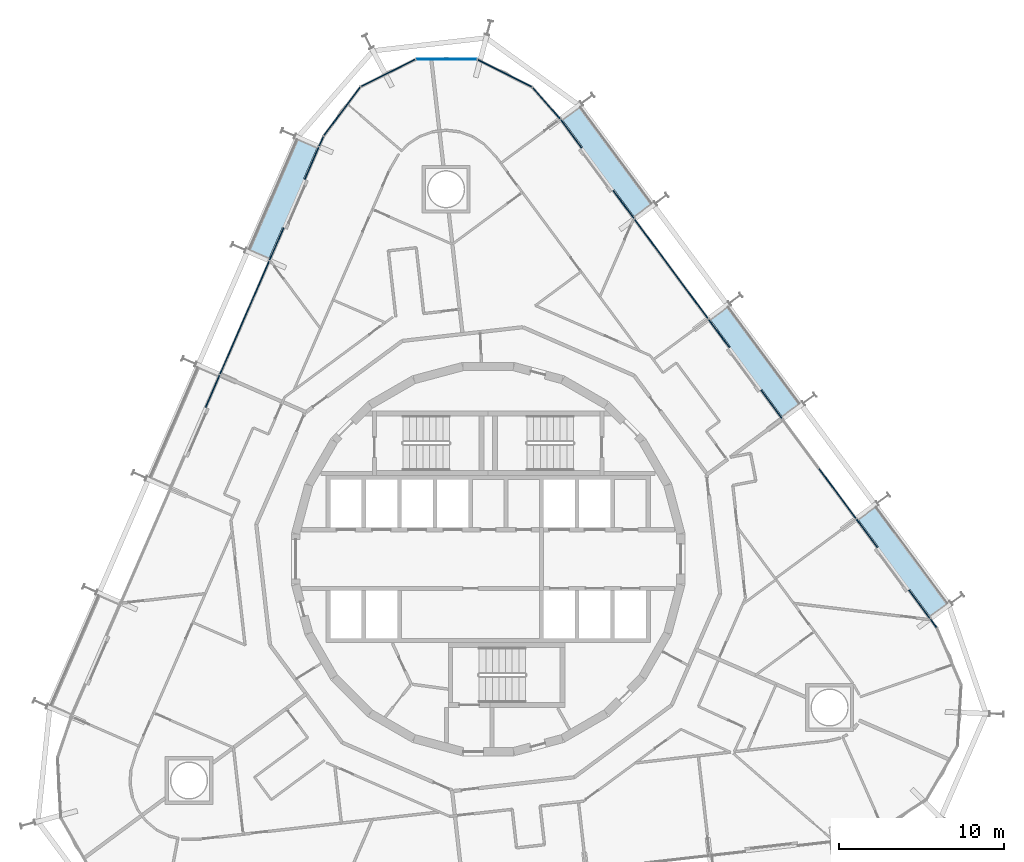
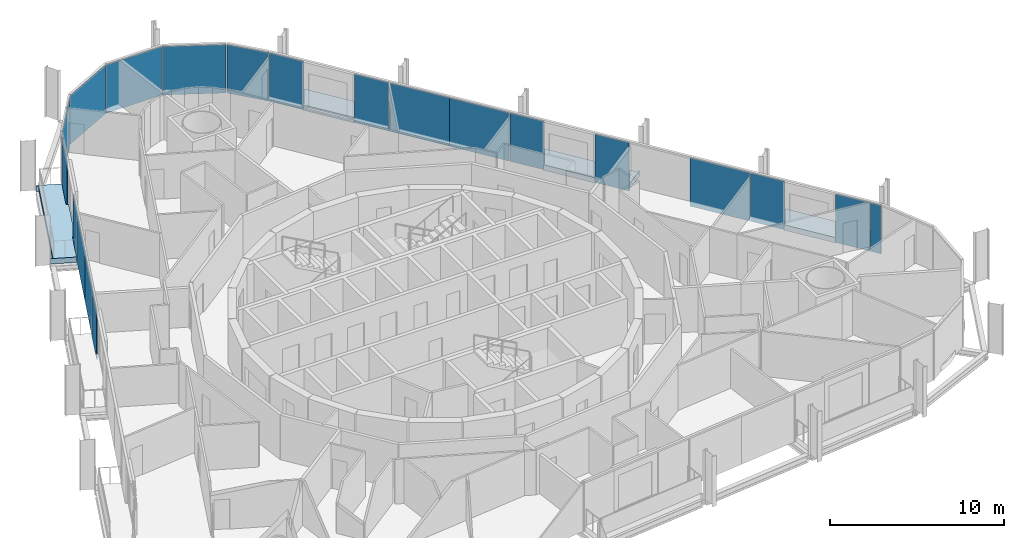
# One storey, part 15 of 24: 21 plates, 4 slabs, 4 elements without a shape of their own.
"""IFC4 building model written with IfcOpenShell, lengths in metres."""

from ifc_helpers import new_model, si_unit, direction, frame, origin, origin_2d, place, context, subcontext, project, spatial, polyline, rectangle, outline, extrude, material, layer, layer_set, type_object, element, aggregate, save


model = new_model("IFC4")

# Units and contexts
model_context = context("Model", 3, precision=1e-05, world=origin(), true_north=direction((0.0, 1.0)))
body_context = subcontext(model_context, "Body", "Model", "MODEL_VIEW")
ifc_project = project(units=[si_unit("LENGTHUNIT", "METRE"), si_unit("AREAUNIT", "SQUARE_METRE"), si_unit("VOLUMEUNIT", "CUBIC_METRE"), si_unit("PLANEANGLEUNIT", "RADIAN"), si_unit("MASSUNIT", "GRAM", prefix="KILO")], contexts=[model_context])

# Site, building, storey
site_placement = place(None, origin())
site = spatial("IfcSite", under=ifc_project, at=site_placement, CompositionType="ELEMENT")
building_placement = place(site_placement, origin())
building = spatial("IfcBuilding", under=site, at=building_placement, Name="Spindle Arch Residences", CompositionType="ELEMENT")
storey_placement = place(building_placement, frame((0.0, 0.0, 87.199951171875)))
storey = spatial("IfcBuildingStorey", under=building, at=storey_placement, Name="L20", CompositionType="ELEMENT", Elevation=87.199951171875)

# Slabs
ifc_material_1 = material(Name="Concrete C40/50", Category="concrete")
ifc_layer_1 = layer(ifc_material_1, 0.3798828125)
ifc_layer_set_1 = layer_set([ifc_layer_1], Name="Balcony slab 380")
slab_type = type_object("IfcSlabType", Name="Balcony slab 380", PredefinedType="FLOOR", material=ifc_layer_set_1)
slab_1_placement = place(storey_placement, frame((0.0, 0.0, -0.3798828125)))
element("IfcSlab", 1, at=slab_1_placement, inside=storey, type_object=slab_type, Name="Balcony L20 bay 6", PredefinedType="FLOOR", context=body_context, shape_type="SweptSolid", body=[
    extrude(outline(polyline([(27.94287109375, -2.613525390625), (27.8984375, -2.55322265625), (27.77783203125, -2.642578125), (23.48388671875, 3.160400390625), (23.6044921875, 3.24951171875), (23.559814453125, 3.309814453125), (22.362060546875, 2.423583984375), (23.601806640625, 0.748046875), (23.473388671875, 0.65283203125), (25.376708984375, -1.91943359375), (25.50537109375, -1.82421875), (26.7451171875, -3.499755859375), (27.94287109375, -2.613525390625)])), origin(), (0.0, 0.0, 1.0), 0.3798828125),
])
slab_2_placement = place(storey_placement, frame((0.0, 0.0, -0.3798828125)))
element("IfcSlab", 2, at=slab_2_placement, inside=storey, type_object=slab_type, Name="Balcony L20 bay 8", PredefinedType="FLOOR", context=body_context, shape_type="SweptSolid", body=[
    extrude(outline(polyline([(18.998291015625, 9.474609375), (18.95361328125, 9.534912109375), (18.8330078125, 9.445556640625), (14.5390625, 15.24853515625), (14.65966796875, 15.337646484375), (14.614990234375, 15.39794921875), (13.417236328125, 14.51171875), (14.6572265625, 12.836181640625), (14.528564453125, 12.740966796875), (16.431884765625, 10.168701171875), (16.560546875, 10.263916015625), (17.800537109375, 8.588134765625), (18.998291015625, 9.474609375)])), origin(), (0.0, 0.0, 1.0), 0.3798828125),
])
slab_3_placement = place(storey_placement, frame((0.0, 0.0, -0.3798828125)))
element("IfcSlab", 3, at=slab_3_placement, inside=storey, type_object=slab_type, Name="Balcony L20 bay 10", PredefinedType="FLOOR", context=body_context, shape_type="SweptSolid", body=[
    extrude(outline(polyline([(10.053466796875, 21.562744140625), (10.0087890625, 21.623046875), (9.88818359375, 21.53369140625), (5.594482421875, 27.336669921875), (5.71484375, 27.42578125), (5.67041015625, 27.486083984375), (4.47265625, 26.599853515625), (5.71240234375, 24.92431640625), (5.583740234375, 24.8291015625), (7.4873046875, 22.2568359375), (7.615966796875, 22.351806640625), (8.855712890625, 20.67626953125), (10.053466796875, 21.562744140625)])), origin(), (0.0, 0.0, 1.0), 0.3798828125),
])
slab_4_placement = place(storey_placement, frame((0.0, 0.0, -0.3798828125)))
element("IfcSlab", 4, at=slab_4_placement, inside=storey, type_object=slab_type, Name="Balcony L20 bay 14", PredefinedType="FLOOR", context=body_context, shape_type="SweptSolid", body=[
    extrude(outline(polyline([(-11.7080078125, 25.506103515625), (-11.738037109375, 25.437255859375), (-11.600341796875, 25.37744140625), (-14.47900390625, 18.75732421875), (-14.616455078125, 18.817138671875), (-14.646240234375, 18.74853515625), (-13.280029296875, 18.154296875), (-12.44873046875, 20.06591796875), (-12.302001953125, 20.001953125), (-11.026123046875, 22.9365234375), (-11.1728515625, 23.00048828125), (-10.341552734375, 24.911865234375), (-11.7080078125, 25.506103515625)])), origin(), (0.0, 0.0, 1.0), 0.3798828125),
])

# Curtain wall, plate
ifc_material_2 = material(Name="Aluminium bronze unitised frame with tinted glass", Category="aluminium")
ifc_layer_2 = layer(ifc_material_2, 0.159912109375)
ifc_layer_set_2 = layer_set([ifc_layer_2], Name="CW-D corner wall on the fillet arcs")
curtain_wall_type_1 = type_object("IfcCurtainWallType", Name="CW-D corner wall on the fillet arcs", PredefinedType="NOTDEFINED", material=ifc_layer_set_2)
curtain_wall_1_placement = place(storey_placement, origin())
curtain_wall_1 = element("IfcCurtainWall", 5, at=curtain_wall_1_placement, inside=storey, type_object=curtain_wall_type_1, Name="CW-D L20 run 1", PredefinedType="NOTDEFINED")
ifc_material_3 = material(Name="Tinted double glazing over aluminium faced non-combustible spandrel zone (K0)", Category="aluminium")
ifc_layer_3 = layer(ifc_material_3, 0.06005859375)
ifc_layer_set_3 = layer_set([ifc_layer_3], Name="Unitised glass panel with E 60 spandrel zone")
plate_type = type_object("IfcPlateType", Name="Unitised glass panel with E 60 spandrel zone", PredefinedType="CURTAIN_PANEL", material=ifc_layer_set_3)
plate_1_placement = place(storey_placement, frame((26.93408203125, -3.8896484375, -0.3798828125), z_axis=(0.0, 0.0, 1.0), x_axis=(-0.594822786751, 0.803856860617, 0.0)))
plate_1 = element("IfcPlate", 6, at=plate_1_placement, type_object=plate_type, Name="CW-D unit 05", PredefinedType="CURTAIN_PANEL", context=body_context, shape_type="SweptSolid", body=[
    extrude(rectangle(XDim=0.6416015625, YDim=0.06005859375, at=origin_2d()), origin(), (0.0, 0.0, 1.0), 3.3798828125),
])
aggregate(curtain_wall_1, [plate_1])

# Curtain wall, plates
ifc_material_4 = material(Name="Aluminium bronze unitised frame with tinted glass", Category="aluminium")
ifc_layer_4 = layer(ifc_material_4, 0.159912109375)
ifc_layer_set_4 = layer_set([ifc_layer_4], Name="CW-C typical residential unitised wall")
curtain_wall_type_2 = type_object("IfcCurtainWallType", Name="CW-C typical residential unitised wall", PredefinedType="NOTDEFINED", material=ifc_layer_set_4)
curtain_wall_2_placement = place(storey_placement, origin())
curtain_wall_2 = element("IfcCurtainWall", 7, at=curtain_wall_2_placement, inside=storey, type_object=curtain_wall_type_2, Name="CW-C L20 run 2", PredefinedType="NOTDEFINED")
plate_2_placement = place(storey_placement, frame((26.074462890625, -2.727783203125, -0.3798828125), z_axis=(0.0, 0.0, 1.0), x_axis=(-0.594822786751, 0.803856860617, 0.0)))
plate_2 = element("IfcPlate", 8, at=plate_2_placement, type_object=plate_type, Name="CW-C unit 05L", PredefinedType="CURTAIN_PANEL", context=body_context, shape_type="SweptSolid", body=[
    extrude(rectangle(XDim=2.12939453125, YDim=0.06005859375, at=origin_2d()), origin(), (0.0, 0.0, 1.0), 3.3798828125),
])
plate_3_placement = place(storey_placement, frame((22.904296875, 1.556396484375, -0.3798828125), z_axis=(0.0, 0.0, 1.0), x_axis=(-0.594822786751, 0.803856860617, 0.0)))
plate_3 = element("IfcPlate", 9, at=plate_3_placement, type_object=plate_type, Name="CW-C unit 05R", PredefinedType="CURTAIN_PANEL", context=body_context, shape_type="SweptSolid", body=[
    extrude(rectangle(XDim=2.12939453125, YDim=0.06005859375, at=origin_2d()), origin(), (0.0, 0.0, 1.0), 3.3798828125),
])
plate_4_placement = place(storey_placement, frame((21.126220703125, 3.95947265625, -0.3798828125), z_axis=(0.0, 0.0, 1.0), x_axis=(-0.594822786751, 0.803856860617, 0.0)))
plate_4 = element("IfcPlate", 10, at=plate_4_placement, type_object=plate_type, Name="CW-C unit 06A", PredefinedType="CURTAIN_PANEL", context=body_context, shape_type="SweptSolid", body=[
    extrude(rectangle(XDim=3.7294921875, YDim=0.06005859375, at=origin_2d()), origin(), (0.0, 0.0, 1.0), 3.3798828125),
])
plate_5_placement = place(storey_placement, frame((17.129638671875, 9.3603515625, -0.3798828125), z_axis=(0.0, 0.0, 1.0), x_axis=(-0.594822786751, 0.803856860617, 0.0)))
plate_5 = element("IfcPlate", 11, at=plate_5_placement, type_object=plate_type, Name="CW-C unit 07L", PredefinedType="CURTAIN_PANEL", context=body_context, shape_type="SweptSolid", body=[
    extrude(rectangle(XDim=2.12939453125, YDim=0.06005859375, at=origin_2d()), origin(), (0.0, 0.0, 1.0), 3.3798828125),
])
plate_6_placement = place(storey_placement, frame((13.95947265625, 13.64453125, -0.3798828125), z_axis=(0.0, 0.0, 1.0), x_axis=(-0.594822786751, 0.803856860617, 0.0)))
plate_6 = element("IfcPlate", 12, at=plate_6_placement, type_object=plate_type, Name="CW-C unit 07R", PredefinedType="CURTAIN_PANEL", context=body_context, shape_type="SweptSolid", body=[
    extrude(rectangle(XDim=2.12939453125, YDim=0.06005859375, at=origin_2d()), origin(), (0.0, 0.0, 1.0), 3.3798828125),
])
plate_7_placement = place(storey_placement, frame((12.181396484375, 16.047607421875, -0.3798828125), z_axis=(0.0, 0.0, 1.0), x_axis=(-0.594822786751, 0.803856860617, 0.0)))
plate_7 = element("IfcPlate", 13, at=plate_7_placement, type_object=plate_type, Name="CW-C unit 08A", PredefinedType="CURTAIN_PANEL", context=body_context, shape_type="SweptSolid", body=[
    extrude(rectangle(XDim=3.7294921875, YDim=0.06005859375, at=origin_2d()), origin(), (0.0, 0.0, 1.0), 3.3798828125),
])
plate_8_placement = place(storey_placement, frame((9.963134765625, 19.04541015625, -0.3798828125), z_axis=(0.0, 0.0, 1.0), x_axis=(-0.594822786751, 0.803856860617, 0.0)))
plate_8 = element("IfcPlate", 14, at=plate_8_placement, type_object=plate_type, Name="CW-C unit 08B", PredefinedType="CURTAIN_PANEL", context=body_context, shape_type="SweptSolid", body=[
    extrude(rectangle(XDim=3.7294921875, YDim=0.06005859375, at=origin_2d()), origin(), (0.0, 0.0, 1.0), 3.3798828125),
])
plate_9_placement = place(storey_placement, frame((8.184814453125, 21.448486328125, -0.3798828125), z_axis=(0.0, 0.0, 1.0), x_axis=(-0.594822786751, 0.803856860617, 0.0)))
plate_9 = element("IfcPlate", 15, at=plate_9_placement, type_object=plate_type, Name="CW-C unit 09L", PredefinedType="CURTAIN_PANEL", context=body_context, shape_type="SweptSolid", body=[
    extrude(rectangle(XDim=2.12939453125, YDim=0.06005859375, at=origin_2d()), origin(), (0.0, 0.0, 1.0), 3.3798828125),
])
plate_10_placement = place(storey_placement, frame((5.014892578125, 25.732666015625, -0.3798828125), z_axis=(0.0, 0.0, 1.0), x_axis=(-0.594822786751, 0.803856860617, 0.0)))
plate_10 = element("IfcPlate", 16, at=plate_10_placement, type_object=plate_type, Name="CW-C unit 09R", PredefinedType="CURTAIN_PANEL", context=body_context, shape_type="SweptSolid", body=[
    extrude(rectangle(XDim=2.12939453125, YDim=0.06005859375, at=origin_2d()), origin(), (0.0, 0.0, 1.0), 3.3798828125),
])
aggregate(curtain_wall_2, [plate_2, plate_3, plate_4, plate_5, plate_6, plate_7, plate_8, plate_9, plate_10])

curtain_wall_3_placement = place(storey_placement, origin())
curtain_wall_3 = element("IfcCurtainWall", 17, at=curtain_wall_3_placement, inside=storey, type_object=curtain_wall_type_1, Name="CW-D L20 run 3", PredefinedType="NOTDEFINED")
plate_11_placement = place(storey_placement, frame((3.513427734375, 27.57861328125, -0.3798828125), z_axis=(0.0, 0.0, 1.0), x_axis=(-0.660703891733, 0.750646632877, 0.0)))
plate_11 = element("IfcPlate", 18, at=plate_11_placement, type_object=plate_type, Name="CW-D unit 00", PredefinedType="CURTAIN_PANEL", context=body_context, shape_type="SweptSolid", body=[
    extrude(rectangle(XDim=2.51416015625, YDim=0.06005859375, at=origin_2d()), origin(), (0.0, 0.0, 1.0), 3.3798828125),
])
plate_12_placement = place(storey_placement, frame((1.000244140625, 29.385986328125, -0.3798828125), z_axis=(0.0, 0.0, 1.0), x_axis=(-0.892323355439, 0.451396753797, 0.0)))
plate_12 = element("IfcPlate", 19, at=plate_12_placement, type_object=plate_type, Name="CW-D unit 01", PredefinedType="CURTAIN_PANEL", context=body_context, shape_type="SweptSolid", body=[
    extrude(rectangle(XDim=3.666748046875, YDim=0.06005859375, at=origin_2d()), origin(), (0.0, 0.0, 1.0), 3.3798828125),
])
plate_13_placement = place(storey_placement, frame((-2.52587890625, 30.232421875, -0.3798828125), z_axis=(0.0, 0.0, 1.0), x_axis=(-0.999995769195, 0.002908881551, 0.0)))
plate_13 = element("IfcPlate", 20, at=plate_13_placement, type_object=plate_type, Name="CW-D unit 02", PredefinedType="CURTAIN_PANEL", context=body_context, shape_type="SweptSolid", body=[
    extrude(rectangle(XDim=3.666748046875, YDim=0.06005859375, at=origin_2d()), origin(), (0.0, 0.0, 1.0), 3.3798828125),
])
plate_14_placement = place(storey_placement, frame((-6.056884765625, 29.406494140625, -0.3798828125), z_axis=(0.0, 0.0, 1.0), x_axis=(-0.89493436175, -0.446197812813, 0.0)))
plate_14 = element("IfcPlate", 21, at=plate_14_placement, type_object=plate_type, Name="CW-D unit 03", PredefinedType="CURTAIN_PANEL", context=body_context, shape_type="SweptSolid", body=[
    extrude(rectangle(XDim=3.666748046875, YDim=0.06005859375, at=origin_2d()), origin(), (0.0, 0.0, 1.0), 3.3798828125),
])
plate_15_placement = place(storey_placement, frame((-8.841552734375, 27.08349609375, -0.3798828125), z_axis=(0.0, 0.0, 1.0), x_axis=(-0.599489340736, -0.800382739909, 0.0)))
plate_15 = element("IfcPlate", 22, at=plate_15_placement, type_object=plate_type, Name="CW-D unit 04", PredefinedType="CURTAIN_PANEL", context=body_context, shape_type="SweptSolid", body=[
    extrude(rectangle(XDim=3.666748046875, YDim=0.06005859375, at=origin_2d()), origin(), (0.0, 0.0, 1.0), 3.3798828125),
])
plate_16_placement = place(storey_placement, frame((-10.098388671875, 25.2705078125, -0.3798828125), z_axis=(0.0, 0.0, 1.0), x_axis=(-0.398749068925, -0.917060074385, 0.0)))
plate_16 = element("IfcPlate", 23, at=plate_16_placement, type_object=plate_type, Name="CW-D unit 05", PredefinedType="CURTAIN_PANEL", context=body_context, shape_type="SweptSolid", body=[
    extrude(rectangle(XDim=0.6416015625, YDim=0.06005859375, at=origin_2d()), origin(), (0.0, 0.0, 1.0), 3.3798828125),
])
aggregate(curtain_wall_3, [plate_11, plate_12, plate_13, plate_14, plate_15, plate_16])

curtain_wall_4_placement = place(storey_placement, origin())
curtain_wall_4 = element("IfcCurtainWall", 24, at=curtain_wall_4_placement, inside=storey, type_object=curtain_wall_type_2, Name="CW-C L20 run 4", PredefinedType="NOTDEFINED")
plate_17_placement = place(storey_placement, frame((-10.6748046875, 23.94482421875, -0.3798828125), z_axis=(0.0, 0.0, 1.0), x_axis=(-0.398749068925, -0.917060074385, 0.0)))
plate_17 = element("IfcPlate", 25, at=plate_17_placement, type_object=plate_type, Name="CW-C unit 13L", PredefinedType="CURTAIN_PANEL", context=body_context, shape_type="SweptSolid", body=[
    extrude(rectangle(XDim=2.12939453125, YDim=0.06005859375, at=origin_2d()), origin(), (0.0, 0.0, 1.0), 3.3798828125),
])
plate_18_placement = place(storey_placement, frame((-12.800048828125, 19.0576171875, -0.3798828125), z_axis=(0.0, 0.0, 1.0), x_axis=(-0.398749068925, -0.917060074385, 0.0)))
plate_18 = element("IfcPlate", 26, at=plate_18_placement, type_object=plate_type, Name="CW-C unit 13R", PredefinedType="CURTAIN_PANEL", context=body_context, shape_type="SweptSolid", body=[
    extrude(rectangle(XDim=2.12939453125, YDim=0.06005859375, at=origin_2d()), origin(), (0.0, 0.0, 1.0), 3.3798828125),
])
plate_19_placement = place(storey_placement, frame((-13.991943359375, 16.316162109375, -0.3798828125), z_axis=(0.0, 0.0, 1.0), x_axis=(-0.398749068925, -0.917060074385, 0.0)))
plate_19 = element("IfcPlate", 27, at=plate_19_placement, type_object=plate_type, Name="CW-C unit 14A", PredefinedType="CURTAIN_PANEL", context=body_context, shape_type="SweptSolid", body=[
    extrude(rectangle(XDim=3.7294921875, YDim=0.06005859375, at=origin_2d()), origin(), (0.0, 0.0, 1.0), 3.3798828125),
])
plate_20_placement = place(storey_placement, frame((-15.47900390625, 12.89599609375, -0.3798828125), z_axis=(0.0, 0.0, 1.0), x_axis=(-0.398749068925, -0.917060074385, 0.0)))
plate_20 = element("IfcPlate", 28, at=plate_20_placement, type_object=plate_type, Name="CW-C unit 14B", PredefinedType="CURTAIN_PANEL", context=body_context, shape_type="SweptSolid", body=[
    extrude(rectangle(XDim=3.7294921875, YDim=0.06005859375, at=origin_2d()), origin(), (0.0, 0.0, 1.0), 3.3798828125),
])
plate_21_placement = place(storey_placement, frame((-16.671142578125, 10.154541015625, -0.3798828125), z_axis=(0.0, 0.0, 1.0), x_axis=(-0.398749068925, -0.917060074385, 0.0)))
plate_21 = element("IfcPlate", 29, at=plate_21_placement, type_object=plate_type, Name="CW-C unit 15L", PredefinedType="CURTAIN_PANEL", context=body_context, shape_type="SweptSolid", body=[
    extrude(rectangle(XDim=2.12939453125, YDim=0.06005859375, at=origin_2d()), origin(), (0.0, 0.0, 1.0), 3.3798828125),
])
aggregate(curtain_wall_4, [plate_17, plate_18, plate_19, plate_20, plate_21])

save(model, "model.ifc")
